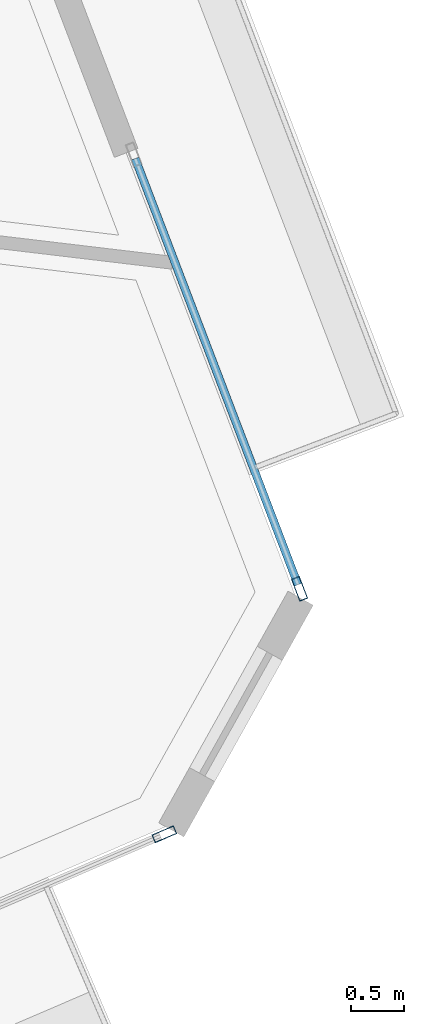
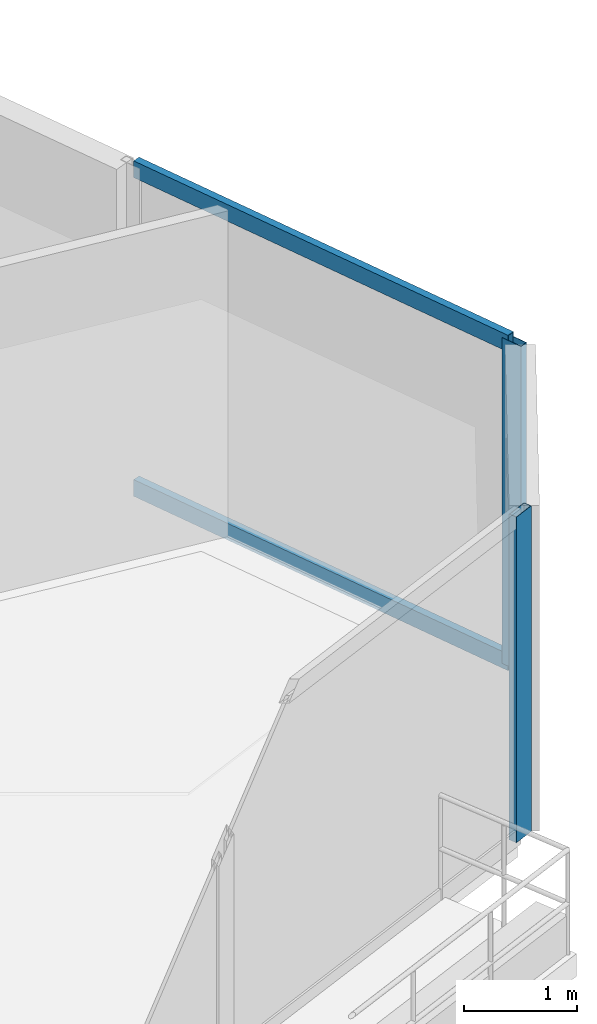
# One storey, part 10 of 23: 4 members, 2 elements without a shape of their own.
"""IFC4 building model written with IfcOpenShell, lengths in metres."""

import ifcopenshell
import ifcopenshell.guid

model = None  # the IFC model being written
_history = None  # IfcOwnerHistory: only IFC2X3 demands one
_inside = {}  # id of a spatial element -> (the spatial element, [elements in it])
_under = {}  # id of a project, library or spatial element -> (it, [spatial elements below it])
_declared = {}  # id of a project -> (the project, [libraries it declares])
_typed = {}  # id of a type object -> (the type object, [elements of that type])
_made_of = {}  # id of a material, layer set ... -> (it, [elements and type objects made of it])


def new_model(schema):
    """Start an empty IFC model of exactly this schema.

    Asked for "IFC4X3", IfcOpenShell would pick the latest addendum, in which some entities
    have other attributes; the version numbers below select the first issue.
    IFC2X3 requires an IfcOwnerHistory on every rooted entity: one is made here for all.
    """
    global model, _history
    if schema == "IFC4X3":
        model = ifcopenshell.file(schema_version=(4, 3, 0, 0))
    else:
        model = ifcopenshell.file(schema=schema)
    _inside.clear()
    _under.clear()
    _declared.clear()
    _typed.clear()
    _made_of.clear()
    _history = None
    if model.schema == "IFC2X3":
        org = make("IfcOrganization", Name="unknown")
        user = make(
            "IfcPersonAndOrganization",
            ThePerson=make("IfcPerson", FamilyName="unknown"),
            TheOrganization=org,
        )
        app = make(
            "IfcApplication",
            ApplicationDeveloper=org,
            Version="unknown",
            ApplicationFullName="unknown",
            ApplicationIdentifier="unknown",
        )
        _history = make(
            "IfcOwnerHistory",
            OwningUser=user,
            OwningApplication=app,
            ChangeAction="ADDED",
            CreationDate=0,
        )
    return model


def make(cls, **values):
    """One entity of the class cls with the attributes given. An attribute that is None is left unset."""
    return model.create_entity(
        cls, **{name: value for name, value in values.items() if value is not None}
    )


def rooted(cls, **values):
    """An entity with a GlobalId (a new one), such as an element, a storey or a relation."""
    return make(cls, GlobalId=ifcopenshell.guid.new(), OwnerHistory=_history, **values)


def si_unit(unit_type, name, prefix=None):
    """IfcSIUnit, for example si_unit("LENGTHUNIT", "METRE", prefix="MILLI")."""
    return make("IfcSIUnit", UnitType=unit_type, Prefix=prefix, Name=name)


def assignment(units):
    """IfcUnitAssignment: the units of a project."""
    return None if units is None else make("IfcUnitAssignment", Units=units)


def point(xyz):
    """IfcCartesianPoint."""
    return None if xyz is None else make("IfcCartesianPoint", Coordinates=xyz)


def direction(xyz):
    """IfcDirection."""
    return None if xyz is None else make("IfcDirection", DirectionRatios=xyz)


def frame(location, z_axis=None, x_axis=None):
    """IfcAxis2Placement3D, a coordinate frame: its origin and axes. An axis left out is left unset."""
    return make(
        "IfcAxis2Placement3D",
        Location=point(location),
        Axis=direction(z_axis),
        RefDirection=direction(x_axis),
    )


def frame_2d(location, x_axis=None):
    """IfcAxis2Placement2D, a coordinate frame in the plane: its origin and x axis."""
    return make(
        "IfcAxis2Placement2D", Location=point(location), RefDirection=direction(x_axis)
    )


def origin():
    """The frame at (0, 0, 0) with its axes left unset."""
    return frame((0.0, 0.0, 0.0))


def origin_2d():
    """The frame at (0, 0) in the plane with its x axis left unset."""
    return frame_2d((0.0, 0.0))


def place(relative_to, where):
    """IfcLocalPlacement: puts the frame where relative to a parent placement (None: the world)."""
    return make(
        "IfcLocalPlacement", PlacementRelTo=relative_to, RelativePlacement=where
    )


def context(
    kind, dimensions, precision=None, world=None, true_north=None, identifier=None
):
    """IfcGeometricRepresentationContext, for example the 3D "Model" context."""
    return make(
        "IfcGeometricRepresentationContext",
        ContextIdentifier=identifier,
        ContextType=kind,
        CoordinateSpaceDimension=dimensions,
        Precision=precision,
        WorldCoordinateSystem=world,
        TrueNorth=true_north,
    )


def subcontext(parent, identifier, kind, view, scale=None):
    """IfcGeometricRepresentationSubContext, for example "Body" below "Model"."""
    return make(
        "IfcGeometricRepresentationSubContext",
        ContextIdentifier=identifier,
        ContextType=kind,
        ParentContext=parent,
        TargetScale=scale,
        TargetView=view,
    )


def project(units=None, contexts=None):
    """IfcProject with its units and contexts."""
    return rooted(
        "IfcProject",
        Name="project",
        RepresentationContexts=contexts,
        UnitsInContext=assignment(units),
    )


def spatial(cls, under=None, at=None, **own):
    """A site, building, storey or space (cls), placed at a placement, below another one or the project."""
    s = rooted(cls, ObjectPlacement=at, **own)
    if under is not None:
        _under.setdefault(under.id(), (under, []))[1].append(s)
    return s


def profile(cls, at=None, kind="AREA", **sizes):
    """A parametric profile (cls). Its sizes go by their IFC names, for example OverallWidth=200.0."""
    return make(cls, ProfileType=kind, Position=at, **sizes)


def hollow_rectangle(**sizes):
    """IfcRectangleHollowProfileDef."""
    return profile("IfcRectangleHollowProfileDef", **sizes)


def extrude(swept, where, along, depth):
    """IfcExtrudedAreaSolid: the profile swept, set in the frame where, extruded along a direction by depth."""
    return make(
        "IfcExtrudedAreaSolid",
        SweptArea=swept,
        Position=where,
        ExtrudedDirection=direction(along),
        Depth=depth,
    )


def shape(context_of_items, identifier, shape_type, items):
    """IfcShapeRepresentation: the items that make up one representation, for example the "Body"."""
    return make(
        "IfcShapeRepresentation",
        ContextOfItems=context_of_items,
        RepresentationIdentifier=identifier,
        RepresentationType=shape_type,
        Items=items,
    )


def source(mapping_origin, context_of_items, identifier, shape_type, items):
    """IfcRepresentationMap: a shape defined once, which mapped items show again and again."""
    return make(
        "IfcRepresentationMap",
        MappingOrigin=mapping_origin,
        MappedRepresentation=shape(context_of_items, identifier, shape_type, items),
    )


def transform(
    local_origin,
    x_axis=None,
    y_axis=None,
    z_axis=None,
    scale=None,
    scale2=None,
    scale3=None,
    uniform=True,
):
    """IfcCartesianTransformationOperator3D, or its non-uniform kind. x_axis, y_axis, z_axis: its Axis1, 2, 3."""
    if uniform:
        return make(
            "IfcCartesianTransformationOperator3D",
            Axis1=direction(x_axis),
            Axis2=direction(y_axis),
            LocalOrigin=point(local_origin),
            Scale=scale,
            Axis3=direction(z_axis),
        )
    return make(
        "IfcCartesianTransformationOperator3DnonUniform",
        Axis1=direction(x_axis),
        Axis2=direction(y_axis),
        LocalOrigin=point(local_origin),
        Scale=scale,
        Axis3=direction(z_axis),
        Scale2=scale2,
        Scale3=scale3,
    )


def mapped(mapping_source, mapping_target):
    """IfcMappedItem: shows the shape of a source again, moved by a transform."""
    return make(
        "IfcMappedItem", MappingSource=mapping_source, MappingTarget=mapping_target
    )


def material(Name=None, Category=None):
    """IfcMaterial."""
    return make("IfcMaterial", Name=Name, Category=Category)


def layer(
    of_material, thickness, ventilated=None, Name=None, Category=None, Priority=None
):
    """IfcMaterialLayer: one layer of a wall or slab, of a material (None: an air gap)."""
    return make(
        "IfcMaterialLayer",
        Material=of_material,
        LayerThickness=thickness,
        IsVentilated=ventilated,
        Name=Name,
        Category=Category,
        Priority=Priority,
    )


def layer_set(layers, Name=None):
    """IfcMaterialLayerSet."""
    return make("IfcMaterialLayerSet", MaterialLayers=layers, LayerSetName=Name)


def material_profile(
    of_material, cross_section, Name=None, Category=None, Priority=None
):
    """IfcMaterialProfile: a cross section and its material."""
    return make(
        "IfcMaterialProfile",
        Name=Name,
        Material=of_material,
        Profile=cross_section,
        Priority=Priority,
        Category=Category,
    )


def profile_set(profiles, Name=None, composite=None):
    """IfcMaterialProfileSet."""
    return make(
        "IfcMaterialProfileSet",
        Name=Name,
        MaterialProfiles=profiles,
        CompositeProfile=composite,
    )


def made_of(thing, what):
    """Note that an element or type object is made of a material, layer set ...; save() writes the relation."""
    if what is not None:
        _made_of.setdefault(what.id(), (what, []))[1].append(thing)
    return thing


def type_object(cls, material=None, **own):
    """A type object (cls), such as IfcWallType, which elements share."""
    return made_of(rooted(cls, **own), material)


def type_shapes(of_type, sources):
    """Give a type object the sources (RepresentationMaps) that its elements show as mapped items."""
    of_type.RepresentationMaps = sources


def element(
    cls,
    number,
    at=None,
    inside=None,
    cuts=None,
    type_object=None,
    material=None,
    context=None,
    identifier="Body",
    shape_type=None,
    held_by="IfcProductDefinitionShape",
    body=None,
    shapes=None,
    **own,
):
    """One element of the class cls, such as IfcWall. Its Tag is "e" and its number.

    at: its placement. inside: the storey or other place that contains it. cuts: it is an
    opening in that element (IfcRelVoidsElement). A single representation is given by context,
    identifier, shape_type and body (its items); several are given by shapes. held_by: the class
    of the entity that holds the representations. save() writes the other relations.
    """
    e = rooted(cls, Tag="e%d" % number, ObjectPlacement=at, **own)
    if body is not None:
        shapes = [shape(context, identifier, shape_type, body)]
    if shapes is not None:
        e.Representation = make(held_by, Representations=shapes)
    if inside is not None:
        _inside.setdefault(inside.id(), (inside, []))[1].append(e)
    if cuts is not None:
        rooted(
            "IfcRelVoidsElement", RelatingBuildingElement=cuts, RelatedOpeningElement=e
        )
    if type_object is not None:
        _typed.setdefault(type_object.id(), (type_object, []))[1].append(e)
    return made_of(e, material)


def aggregate(whole, parts):
    """IfcRelAggregates: a whole, such as a stair, and the parts it consists of."""
    return rooted("IfcRelAggregates", RelatingObject=whole, RelatedObjects=parts)


def save(model, path):
    """Write the relations noted so far, then the file.

    IfcRelAggregates (storeys below a building ...), IfcRelContainedInSpatialStructure (elements
    in a storey), IfcRelDefinesByType, IfcRelAssociatesMaterial and IfcRelDeclares: one each for
    every whole, place, type object, material and project.
    """
    for whole, parts in _under.values():
        aggregate(whole, parts)
    for where, things in _inside.values():
        rooted(
            "IfcRelContainedInSpatialStructure",
            RelatedElements=things,
            RelatingStructure=where,
        )
    for kind, things in _typed.values():
        rooted("IfcRelDefinesByType", RelatedObjects=things, RelatingType=kind)
    for what, things in _made_of.values():
        rooted("IfcRelAssociatesMaterial", RelatedObjects=things, RelatingMaterial=what)
    for by, libraries in _declared.values():
        rooted("IfcRelDeclares", RelatingContext=by, RelatedDefinitions=libraries)
    model.write(path)


model = new_model("IFC4")

# Units and contexts
model_context = context("Model", 3, precision=1e-05, world=origin(), true_north=direction((0.0, 1.0)))
body_context = subcontext(model_context, "Body", "Model", "MODEL_VIEW")
ifc_project = project(units=[si_unit("LENGTHUNIT", "METRE"), si_unit("AREAUNIT", "SQUARE_METRE"), si_unit("VOLUMEUNIT", "CUBIC_METRE"), si_unit("PLANEANGLEUNIT", "RADIAN"), si_unit("MASSUNIT", "GRAM", prefix="KILO")], contexts=[model_context])

# Site, building, storey
site_placement = place(None, origin())
site = spatial("IfcSite", under=ifc_project, at=site_placement, CompositionType="ELEMENT")
building_placement = place(site_placement, origin())
building = spatial("IfcBuilding", under=site, at=building_placement, Name="Talar Marvaseh", CompositionType="ELEMENT")
storey_placement = place(building_placement, frame((0.0, 0.0, 27.800048828125)))
storey = spatial("IfcBuildingStorey", under=building, at=storey_placement, Name="L06", CompositionType="ELEMENT", Elevation=27.800048828125)

# Curtain wall, member
ifc_material = material(Name="Architectural Aluminium", Category="aluminium")
ifc_layer = layer(ifc_material, 0.219970703125)
ifc_layer_set = layer_set([ifc_layer], Name="Architectural Aluminium")
curtain_wall_type = type_object("IfcCurtainWallType", Name="Unitised Low-E Museum Curtain Wall Z1", PredefinedType="NOTDEFINED", material=ifc_layer_set)
curtain_wall_1_placement = place(storey_placement, origin())
curtain_wall_1 = element("IfcCurtainWall", 1, at=curtain_wall_1_placement, inside=storey, type_object=curtain_wall_type, Name="L06 Unitised Low-E Museum Curtain Wall Z1", PredefinedType="NOTDEFINED")
ifc_material_profile_1 = material_profile(ifc_material, hollow_rectangle(XDim=0.080078125, YDim=0.219970703125, WallThickness=0.0048828125, at=origin_2d()), Name="RHS220x80x5")
ifc_profile_set_1 = profile_set([ifc_material_profile_1], Name="Architectural Aluminium")
member_type_1 = type_object("IfcMemberType", Name="Unitised Curtain Wall Heavy Mullion RHS220x80x5", PredefinedType="MULLION", material=ifc_profile_set_1)
shared_shape_1 = source(origin(), body_context, "Body", "SweptSolid", [
    extrude(hollow_rectangle(XDim=0.080078125, YDim=0.219970703125, WallThickness=0.0048828125, at=origin_2d()), origin(), (0.0, 0.0, 1.0), 3.52001953125),
])
type_shapes(member_type_1, [shared_shape_1])
member_1_placement = place(storey_placement, frame((51.669189453125, 21.54443359375, 0.0), z_axis=(0.0, 0.0, 1.0), x_axis=(0.934178865604, 0.3568050547, 0.0)))
member_1 = element("IfcMember", 2, at=member_1_placement, type_object=member_type_1, Name="CW-Z1 mullion 2", PredefinedType="MULLION", context=body_context, shape_type="MappedRepresentation", body=[
    mapped(shared_shape_1, transform((0.0, 0.0, 0.0), x_axis=(1.0, 0.0, 0.0), y_axis=(0.0, 1.0, 0.0), z_axis=(0.0, 0.0, 1.0), scale=1.0)),
])

curtain_wall_2_placement = place(storey_placement, origin())
curtain_wall_2 = element("IfcCurtainWall", 3, at=curtain_wall_2_placement, inside=storey, type_object=curtain_wall_type, Name="L06 Unitised Low-E Museum Curtain Wall Z1", PredefinedType="NOTDEFINED")
member_2_placement = place(storey_placement, frame((50.4033203125, 19.245849609375, 0.0), z_axis=(0.0, 0.0, 1.0), x_axis=(0.394599418067, -0.918853252299, 0.0)))
member_2 = element("IfcMember", 4, at=member_2_placement, type_object=member_type_1, Name="CW-Z1 mullion 1", PredefinedType="MULLION", context=body_context, shape_type="MappedRepresentation", body=[
    mapped(shared_shape_1, transform((0.0, 0.0, 0.0), x_axis=(1.0, 0.0, 0.0), y_axis=(0.0, 1.0, 0.0), z_axis=(0.0, 0.0, 1.0), scale=1.0)),
])
aggregate(curtain_wall_2, [member_2])

# Member
ifc_material_profile_2 = material_profile(ifc_material, hollow_rectangle(XDim=0.074951171875, YDim=0.179931640625, WallThickness=0.0048828125, at=origin_2d()), Name="RHS180x75x5")
ifc_profile_set_2 = profile_set([ifc_material_profile_2], Name="Architectural Aluminium")
member_type_2 = type_object("IfcMemberType", Name="Unitised Curtain Wall Transom RHS180x75x5", PredefinedType="USERDEFINED", material=ifc_profile_set_2)
shared_shape_2 = source(origin(), body_context, "Body", "SweptSolid", [
    extrude(hollow_rectangle(XDim=0.074951171875, YDim=0.179931640625, WallThickness=0.0048828125, at=origin_2d()), origin(), (0.0, 0.0, 1.0), 4.27099609375),
])
type_shapes(member_type_2, [shared_shape_2])
member_3_placement = place(storey_placement, frame((50.130859375, 25.57177734375, 0.037353515625), z_axis=(0.356798618572, -0.934181323826, 0.0), x_axis=(0.934181323826, 0.356798618572, 0.0)))
member_3 = element("IfcMember", 5, at=member_3_placement, type_object=member_type_2, Name="CW-Z1 transom 1.1", ObjectType="TRANSOM", PredefinedType="USERDEFINED", context=body_context, shape_type="MappedRepresentation", body=[
    mapped(shared_shape_2, transform((0.0, 0.0, 0.0), x_axis=(1.0, 0.0, 0.0), y_axis=(0.0, 1.0, 0.0), z_axis=(0.0, 0.0, 1.0), scale=1.0)),
])

member_4_placement = place(storey_placement, frame((50.130859375, 25.57177734375, 3.482421875), z_axis=(0.356798618572, -0.934181323826, 0.0), x_axis=(0.934181323826, 0.356798618572, 0.0)))
member_4 = element("IfcMember", 6, at=member_4_placement, type_object=member_type_2, Name="CW-Z1 transom 1.2", ObjectType="TRANSOM", PredefinedType="USERDEFINED", context=body_context, shape_type="MappedRepresentation", body=[
    mapped(shared_shape_2, transform((0.0, 0.0, 0.0), x_axis=(1.0, 0.0, 0.0), y_axis=(0.0, 1.0, 0.0), z_axis=(0.0, 0.0, 1.0), scale=1.0)),
])

aggregate(curtain_wall_1, [member_1, member_3, member_4])

save(model, "model.ifc")
